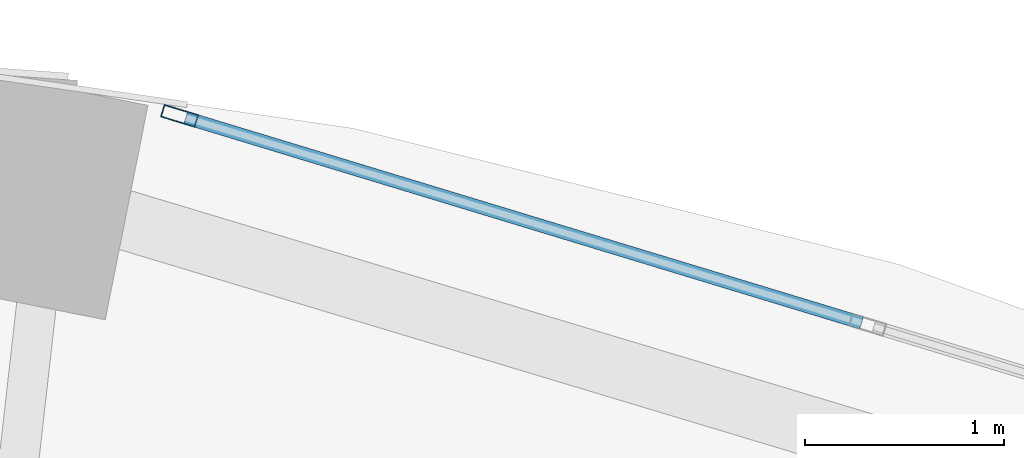
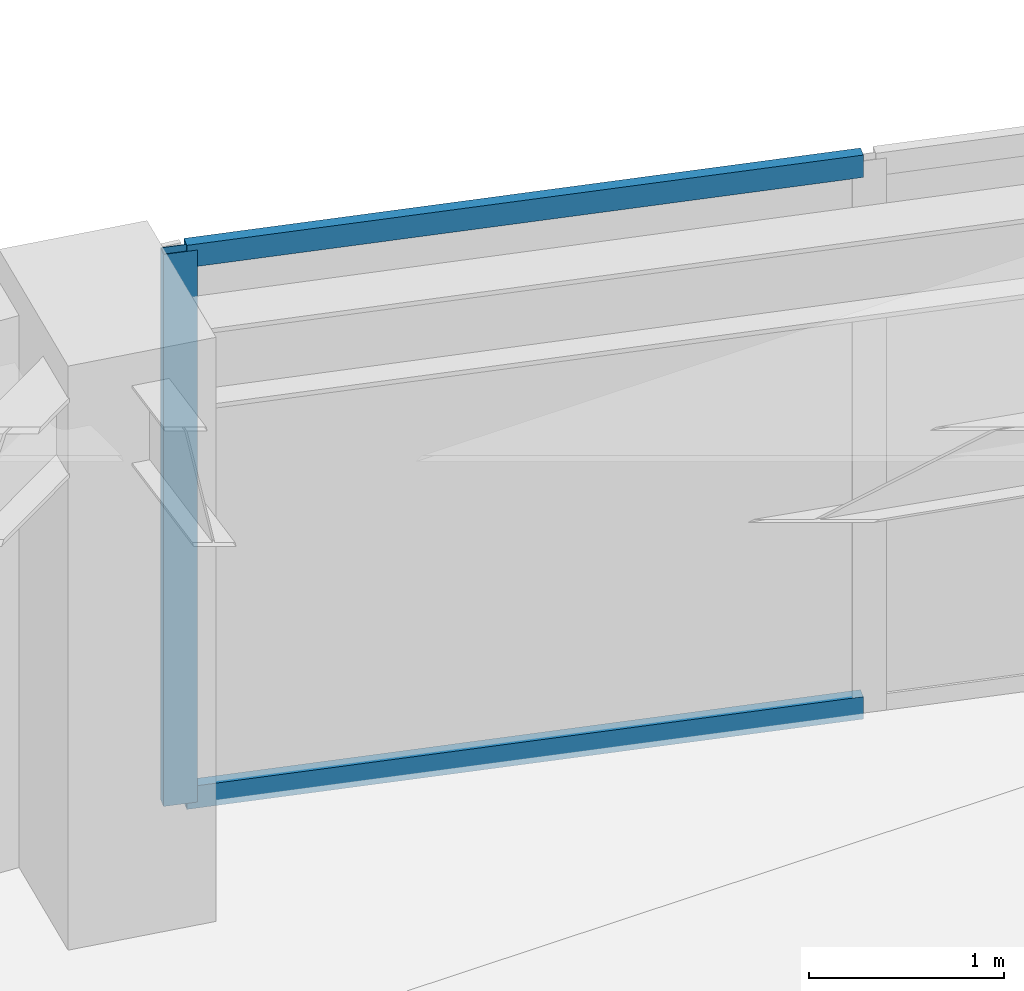
# One storey, part 7 of 12: 3 members, 1 element without a shape of its own.
"""IFC4 building model written with IfcOpenShell, lengths in metres."""

from ifc_helpers import new_model, si_unit, direction, frame, origin, origin_2d, place, context, subcontext, project, spatial, hollow_rectangle, extrude, material, layer, layer_set, material_profile, profile_set, type_object, element, aggregate, save


model = new_model("IFC4")

# Units and contexts
model_context = context("Model", 3, precision=1e-05, world=origin(), true_north=direction((0.0, 1.0)))
body_context = subcontext(model_context, "Body", "Model", "MODEL_VIEW")
ifc_project = project(units=[si_unit("LENGTHUNIT", "METRE"), si_unit("AREAUNIT", "SQUARE_METRE"), si_unit("VOLUMEUNIT", "CUBIC_METRE"), si_unit("PLANEANGLEUNIT", "RADIAN"), si_unit("MASSUNIT", "GRAM", prefix="KILO")], contexts=[model_context])

# Site, building, storey
site_placement = place(None, origin())
site = spatial("IfcSite", under=ifc_project, at=site_placement, CompositionType="ELEMENT")
building_placement = place(site_placement, origin())
building = spatial("IfcBuilding", under=site, at=building_placement, Name="Lazwardi Medical Tower", CompositionType="ELEMENT")
storey_placement = place(building_placement, frame((0.0, 0.0, 287.85595703125)))
storey = spatial("IfcBuildingStorey", under=building, at=storey_placement, Name="L75", CompositionType="ELEMENT", Elevation=287.85595703125)

# Curtain wall, members
ifc_material_1 = material(Name="Anodised bronze aluminium and solar control glazing", Category="aluminium")
ifc_layer = layer(ifc_material_1, 0.18994140625)
ifc_layer_set = layer_set([ifc_layer], Name="Anodised bronze aluminium and solar control glazing")
curtain_wall_type = type_object("IfcCurtainWallType", Name="CW-SYS-04", PredefinedType="NOTDEFINED", material=ifc_layer_set)
curtain_wall_placement = place(storey_placement, origin())
curtain_wall = element("IfcCurtainWall", 1, at=curtain_wall_placement, inside=storey, type_object=curtain_wall_type, Name="L75 Unitised bronze curtain wall CW-04", PredefinedType="NOTDEFINED")
ifc_material_2 = material(Name="Anodised bronze aluminium", Category="aluminium")
ifc_material_profile_1 = material_profile(ifc_material_2, hollow_rectangle(XDim=0.06494140625, YDim=0.179931640625, WallThickness=0.00390625, at=origin_2d()), Name="ALU-MULLION 180x65x4")
ifc_profile_set_1 = profile_set([ifc_material_profile_1], Name="Anodised bronze aluminium")
member_type_1 = type_object("IfcMemberType", Name="CW-MUL-03", PredefinedType="MULLION", material=ifc_profile_set_1)
member_1_placement = place(storey_placement, frame((40.873046875, 45.007080078125, 0.0), z_axis=(0.0, 0.0, 1.0), x_axis=(-0.290581889515, -0.956850126972, 0.0)))
member_1 = element("IfcMember", 2, at=member_1_placement, type_object=member_type_1, Name="CW-04 mullion 3", PredefinedType="MULLION", context=body_context, shape_type="SweptSolid", body=[
    extrude(hollow_rectangle(XDim=0.06494140625, YDim=0.179931640625, WallThickness=0.00390625, at=origin_2d()), origin(), (0.0, 0.0, 1.0), 3.447998046875),
])
ifc_material_profile_2 = material_profile(ifc_material_2, hollow_rectangle(XDim=0.06494140625, YDim=0.139892578125, WallThickness=0.00341796875, at=origin_2d()), Name="ALU-TRANSOM 140x65x3.5")
ifc_profile_set_2 = profile_set([ifc_material_profile_2], Name="Anodised bronze aluminium")
member_type_2 = type_object("IfcMemberType", Name="CW-TRN-03", PredefinedType="USERDEFINED", material=ifc_profile_set_2)
member_2_placement = place(storey_placement, frame((44.305419921875, 43.96484375, 0.032470703125), z_axis=(-0.956862505902, 0.290541124109, 0.0), x_axis=(-0.290541124109, -0.956862505902, 0.0)))
member_2 = element("IfcMember", 3, at=member_2_placement, type_object=member_type_2, Name="CW-04 transom 2.1", ObjectType="TRANSOM", PredefinedType="USERDEFINED", context=body_context, shape_type="SweptSolid", body=[
    extrude(hollow_rectangle(XDim=0.06494140625, YDim=0.139892578125, WallThickness=0.00341796875, at=origin_2d()), origin(), (0.0, 0.0, 1.0), 3.554443359375),
])
member_3_placement = place(storey_placement, frame((44.305419921875, 43.96484375, 3.41552734375), z_axis=(-0.956862505902, 0.290541124109, 0.0), x_axis=(-0.290541124109, -0.956862505902, 0.0)))
member_3 = element("IfcMember", 4, at=member_3_placement, type_object=member_type_2, Name="CW-04 transom 2.2", ObjectType="TRANSOM", PredefinedType="USERDEFINED", context=body_context, shape_type="SweptSolid", body=[
    extrude(hollow_rectangle(XDim=0.06494140625, YDim=0.139892578125, WallThickness=0.00341796875, at=origin_2d()), origin(), (0.0, 0.0, 1.0), 3.554443359375),
])
aggregate(curtain_wall, [member_1, member_2, member_3])

save(model, "model.ifc")
